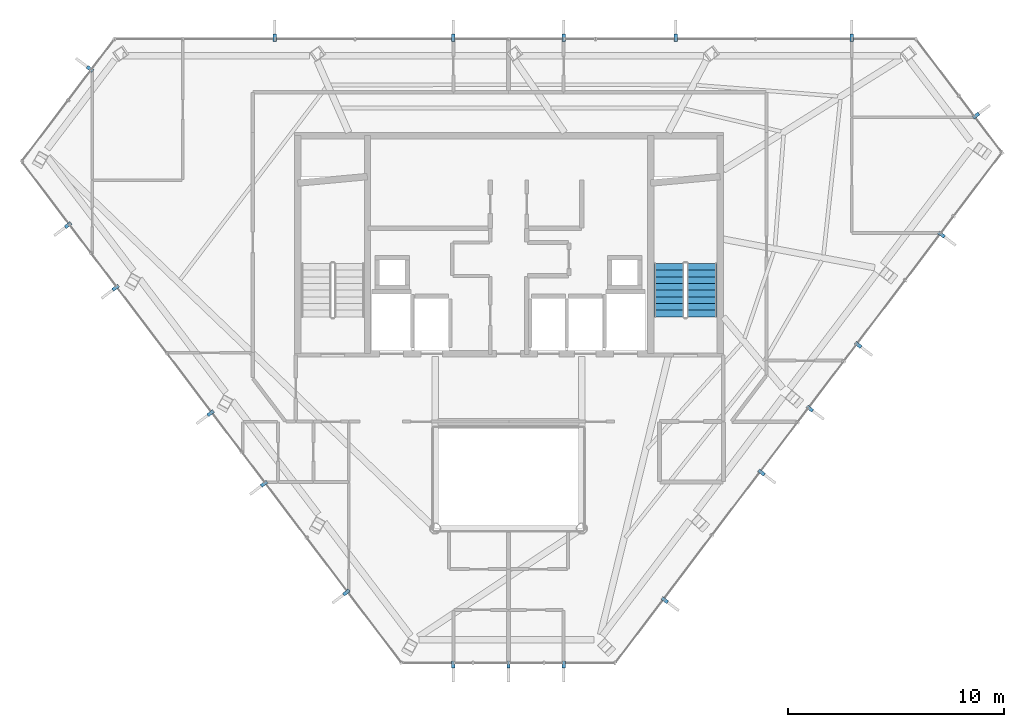
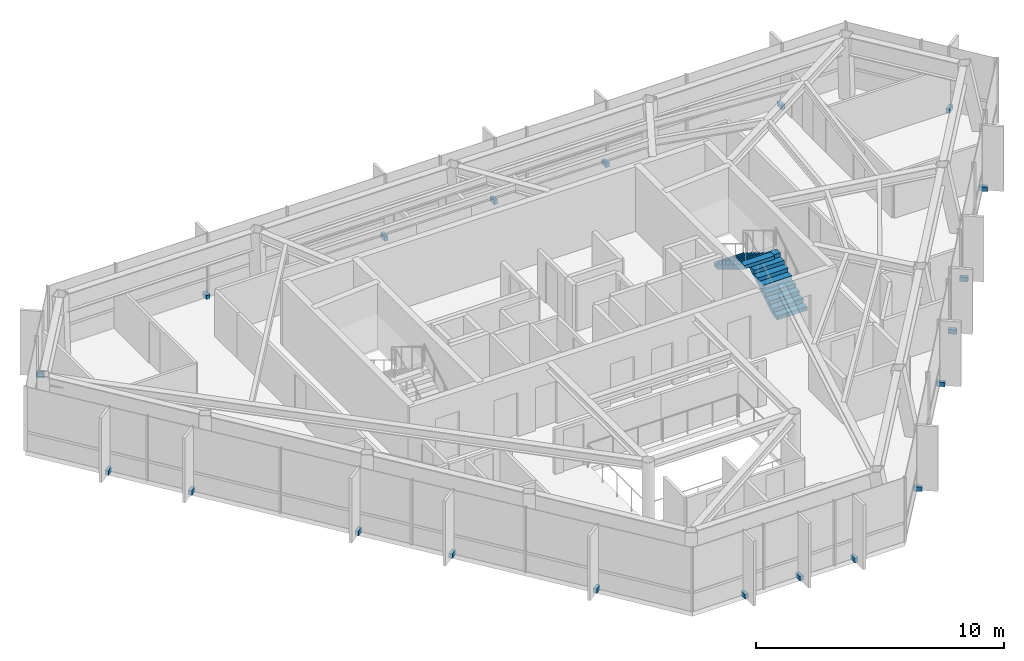
# One storey, part 25 of 26: 20 discrete accessories, 2 stair flights, 1 element without a shape of its own.
"""IFC4 building model written with IfcOpenShell, lengths in metres."""

from ifc_helpers import new_model, si_unit, direction, frame, origin, origin_2d, place, context, subcontext, project, spatial, polyline, rectangle, outline, extrude, material, type_object, element, aggregate, save


model = new_model("IFC4")

# Units and contexts
model_context = context("Model", 3, precision=1e-05, world=origin(), true_north=direction((0.0, 1.0)))
body_context = subcontext(model_context, "Body", "Model", "MODEL_VIEW")
ifc_project = project(units=[si_unit("LENGTHUNIT", "METRE"), si_unit("AREAUNIT", "SQUARE_METRE"), si_unit("VOLUMEUNIT", "CUBIC_METRE"), si_unit("PLANEANGLEUNIT", "RADIAN"), si_unit("MASSUNIT", "GRAM", prefix="KILO")], contexts=[model_context])

# Site, building, storey
site_placement = place(None, origin())
site = spatial("IfcSite", under=ifc_project, at=site_placement, CompositionType="ELEMENT")
building_placement = place(site_placement, origin())
building = spatial("IfcBuilding", under=site, at=building_placement, Name="Zarrinselat Tower", CompositionType="ELEMENT")
storey_placement = place(building_placement, frame((0.0, 0.0, 265.199951171875)))
storey = spatial("IfcBuildingStorey", under=building, at=storey_placement, Name="L67", CompositionType="ELEMENT", Elevation=265.199951171875)

# Stair, stair flights
ifc_material_1 = material(Name="Concrete C40/50", Category="concrete")
stair_type = type_object("IfcStairType", Name="STR-CORE-155", PredefinedType="HALF_TURN_STAIR", material=ifc_material_1)
stair_placement = place(storey_placement, origin())
stair = element("IfcStair", 1, at=stair_placement, inside=storey, type_object=stair_type, Name="L67 Core Exit Stair 2", PredefinedType="HALF_TURN_STAIR")
ifc_material_2 = material(Name="Concrete C40/50", Category="concrete")
stair_flight_type = type_object("IfcStairFlightType", Name="STR-FLT-155", PredefinedType="STRAIGHT", material=ifc_material_2)
stair_flight_1_placement = place(storey_placement, frame((47.360107421875, 35.0, 0.0), z_axis=(0.0, 0.0, 1.0), x_axis=(0.0, 1.0, 0.0)))
stair_flight_1 = element("IfcStairFlight", 2, at=stair_flight_1_placement, type_object=stair_flight_type, Name="ST-2 flight 1", NumberOfRisers=9, NumberOfTreads=8, PredefinedType="STRAIGHT", RiserHeight=0.188888889, TreadLength=0.31, context=body_context, shape_type="SweptSolid", body=[
    extrude(outline(polyline([(0.0, 0.0), (0.0, 0.18896484375), (0.31005859375, 0.18896484375), (0.31005859375, 0.377685546875), (0.6201171875, 0.377685546875), (0.6201171875, 0.566650390625), (0.929931640625, 0.566650390625), (0.929931640625, 0.755615234375), (1.239990234375, 0.755615234375), (1.239990234375, 0.9443359375), (1.550048828125, 0.9443359375), (1.550048828125, 1.13330078125), (1.860107421875, 1.13330078125), (1.860107421875, 1.322265625), (2.169921875, 1.322265625), (2.169921875, 1.51123046875), (2.47998046875, 1.51123046875), (2.47998046875, 1.699951171875), (2.47998046875, 1.335693359375), (0.2880859375, 0.0), (0.0, 0.0)])), frame((0.0, 0.699951171875, 0.0), z_axis=(0.0, -1.0, 0.0), x_axis=(1.0, 0.0, 0.0)), (0.0, 0.0, 1.0), 1.39990234375),
])
stair_flight_2_placement = place(storey_placement, frame((45.840087890625, 37.47998046875, 1.699951171875), z_axis=(0.0, 0.0, 1.0), x_axis=(0.0, -1.0, 0.0)))
stair_flight_2 = element("IfcStairFlight", 3, at=stair_flight_2_placement, type_object=stair_flight_type, Name="ST-2 flight 2", NumberOfRisers=9, NumberOfTreads=8, PredefinedType="STRAIGHT", RiserHeight=0.188888889, TreadLength=0.31, context=body_context, shape_type="SweptSolid", body=[
    extrude(outline(polyline([(0.0, 0.0), (0.0, 0.18896484375), (0.31005859375, 0.18896484375), (0.31005859375, 0.377685546875), (0.6201171875, 0.377685546875), (0.6201171875, 0.566650390625), (0.929931640625, 0.566650390625), (0.929931640625, 0.755615234375), (1.239990234375, 0.755615234375), (1.239990234375, 0.9443359375), (1.550048828125, 0.9443359375), (1.550048828125, 1.13330078125), (1.860107421875, 1.13330078125), (1.860107421875, 1.322265625), (2.169921875, 1.322265625), (2.169921875, 1.51123046875), (2.47998046875, 1.51123046875), (2.47998046875, 1.699951171875), (2.47998046875, 1.335693359375), (0.2880859375, 0.0), (0.0, 0.0)])), frame((0.0, 0.699951171875, 0.0), z_axis=(0.0, -1.0, 0.0), x_axis=(1.0, 0.0, 0.0)), (0.0, 0.0, 1.0), 1.39990234375),
])
aggregate(stair, [stair_flight_1, stair_flight_2])

# Discrete accessories
ifc_material_3 = material(Name="Steel S355J2", Category="steel")
discrete_accessory_type = type_object("IfcDiscreteAccessoryType", Name="ACC-FIN-BRACKET", PredefinedType="BRACKET", material=ifc_material_3)
for number, where, z_axis, x_axis, name in (
    (4, (54.301025390625, 47.936767578125, -0.0498046875), (0.0, 0.0, 1.0), (0.0, 1.0, 0.0), "L67 Fin Fixing Bracket CW-L67-E01-01"),
    (5, (46.13818359375, 47.936767578125, -0.0498046875), (0.0, 0.0, 1.0), (0.0, 1.0, 0.0), "L67 Fin Fixing Bracket CW-L67-E01-03"),
    (6, (40.949951171875, 47.936767578125, -0.0498046875), (0.0, 0.0, 1.0), (0.0, 1.0, 0.0), "L67 Fin Fixing Bracket CW-L67-E01-05"),
    (7, (35.85009765625, 47.936767578125, -0.0498046875), (0.0, 0.0, 1.0), (0.0, 1.0, 0.0), "L67 Fin Fixing Bracket CW-L67-E01-07"),
    (8, (27.57763671875, 47.936767578125, -0.0498046875), (0.0, 0.0, 1.0), (0.0, 1.0, 0.0), "L67 Fin Fixing Bracket CW-L67-E01-09"),
    (9, (19.01806640625, 46.48388671875, -0.0498046875), (0.0, 0.0, 1.0), (-0.797094404793, 0.60385470922, 0.0), "L67 Fin Fixing Bracket CW-L67-E02-01"),
    (10, (18.00390625, 39.253662109375, -0.0498046875), (0.0, 0.0, 1.0), (-0.797091697694, -0.603858282603, 0.0), "L67 Fin Fixing Bracket CW-L67-E03-01"),
    (11, (20.20361328125, 36.35009765625, -0.0498046875), (0.0, 0.0, 1.0), (-0.797091697694, -0.603858282603, 0.0), "L67 Fin Fixing Bracket CW-L67-E03-03"),
    (12, (24.602783203125, 30.54296875, -0.0498046875), (0.0, 0.0, 1.0), (-0.797091697694, -0.603858282603, 0.0), "L67 Fin Fixing Bracket CW-L67-E03-05"),
    (13, (27.081298828125, 27.271484375, -0.0498046875), (0.0, 0.0, 1.0), (-0.797091697694, -0.603858282603, 0.0), "L67 Fin Fixing Bracket CW-L67-E03-07"),
    (14, (30.894287109375, 22.23828125, -0.0498046875), (0.0, 0.0, 1.0), (-0.797091697694, -0.603858282603, 0.0), "L67 Fin Fixing Bracket CW-L67-E03-09"),
    (15, (35.85009765625, 18.901123046875, -0.0498046875), (0.0, 0.0, 1.0), (0.0, -1.0, 0.0), "L67 Fin Fixing Bracket CW-L67-E04-01"),
    (16, (38.39990234375, 18.901123046875, -0.0498046875), (0.0, 0.0, 1.0), (0.0, -1.0, 0.0), "L67 Fin Fixing Bracket CW-L67-E04-03"),
    (17, (40.949951171875, 18.901123046875, -0.0498046875), (0.0, 0.0, 1.0), (0.0, -1.0, 0.0), "L67 Fin Fixing Bracket CW-L67-E04-05"),
    (18, (45.637451171875, 21.884033203125, -0.0498046875), (0.0, 0.0, 1.0), (0.7970907221, -0.603859570382, 0.0), "L67 Fin Fixing Bracket CW-L67-E05-01"),
    (19, (50.115234375, 27.794921875, -0.0498046875), (0.0, 0.0, 1.0), (0.7970907221, -0.603859570382, 0.0), "L67 Fin Fixing Bracket CW-L67-E05-03"),
    (20, (52.35400390625, 30.750244140625, -0.0498046875), (0.0, 0.0, 1.0), (0.7970907221, -0.603859570382, 0.0), "L67 Fin Fixing Bracket CW-L67-E05-05"),
    (21, (54.593017578125, 33.70556640625, -0.0498046875), (0.0, 0.0, 1.0), (0.7970907221, -0.603859570382, 0.0), "L67 Fin Fixing Bracket CW-L67-E05-07"),
    (22, (58.458984375, 38.80859375, -0.0498046875), (0.0, 0.0, 1.0), (0.7970907221, -0.603859570382, 0.0), "L67 Fin Fixing Bracket CW-L67-E05-09"),
    (23, (60.051513671875, 44.3173828125, -0.0498046875), (0.0, 0.0, 1.0), (0.797091705482, 0.603858272322, 0.0), "L67 Fin Fixing Bracket CW-L67-E06-01"),
):
    element("IfcDiscreteAccessory", number, at=place(storey_placement, frame(where, z_axis=z_axis, x_axis=x_axis)), inside=storey, type_object=discrete_accessory_type, Name=name, PredefinedType="BRACKET", context=body_context, shape_type="SweptSolid", body=[
        extrude(rectangle(XDim=0.340087890625, YDim=0.159912109375, at=origin_2d()), origin(), (0.0, 0.0, 1.0), 0.219970703125),
    ])

save(model, "model.ifc")
